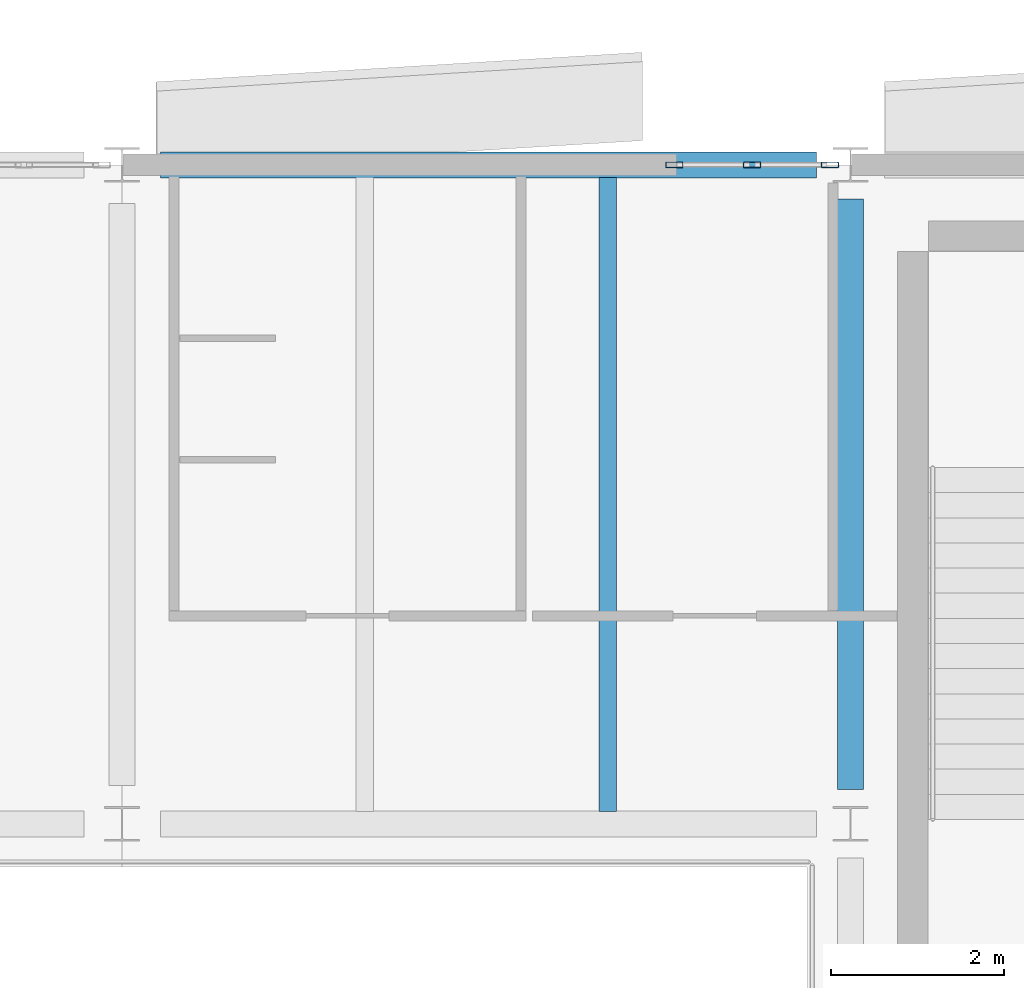
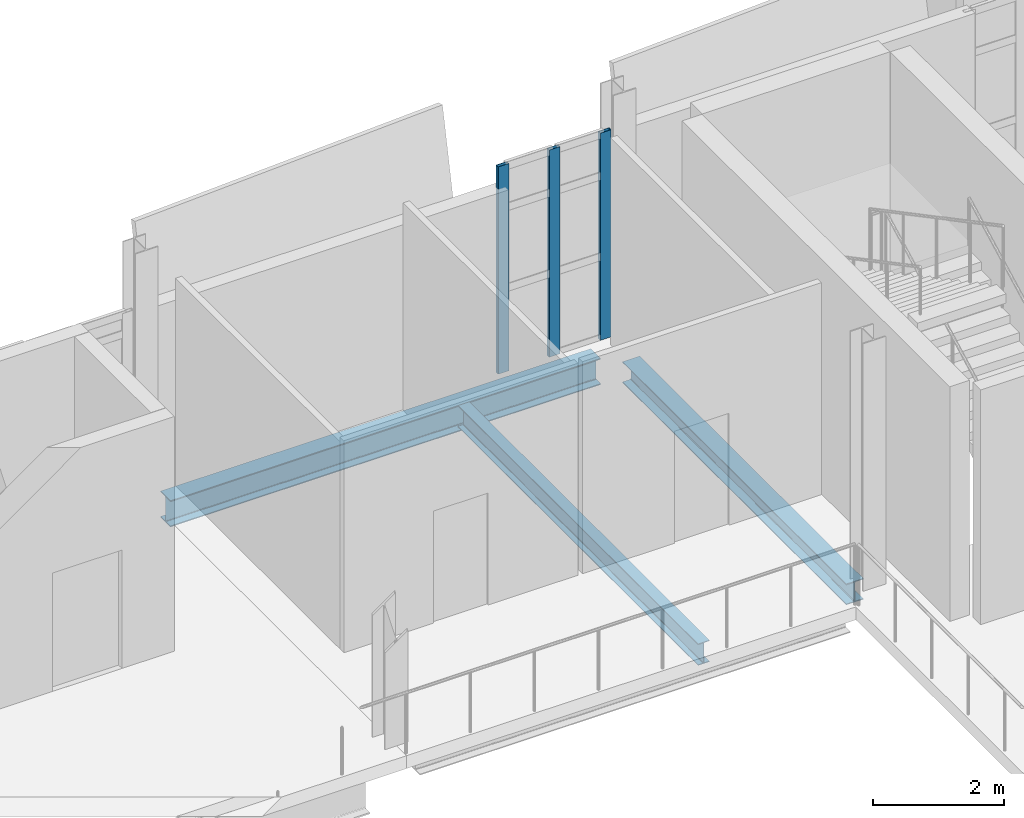
# One storey, part 69 of 172: 3 beams, 3 members, 1 element without a shape of its own.
"""IFC4 building model written with IfcOpenShell, lengths in metres."""

from ifc_helpers import new_model, si_unit, direction, frame, origin, origin_2d, place, context, subcontext, project, spatial, hollow_rectangle, i_section, extrude, material, material_profile, profile_set, type_object, element, aggregate, save


model = new_model("IFC4")

# Units and contexts
model_context = context("Model", 3, precision=1e-05, world=origin(), true_north=direction((0.0, 1.0)))
body_context = subcontext(model_context, "Body", "Model", "MODEL_VIEW")
ifc_project = project(units=[si_unit("LENGTHUNIT", "METRE"), si_unit("AREAUNIT", "SQUARE_METRE"), si_unit("VOLUMEUNIT", "CUBIC_METRE"), si_unit("PLANEANGLEUNIT", "RADIAN"), si_unit("MASSUNIT", "GRAM", prefix="KILO")], contexts=[model_context])

# Site, building, storey
site_placement = place(None, origin())
site = spatial("IfcSite", under=ifc_project, at=site_placement, CompositionType="ELEMENT")
building_placement = place(site_placement, origin())
building = spatial("IfcBuilding", under=site, at=building_placement, Name="Shengluoqiao Park Theatre", CompositionType="ELEMENT")
storey_placement = place(building_placement, frame((0.0, 0.0, 5.39990234375)))
storey = spatial("IfcBuildingStorey", under=building, at=storey_placement, Name="L01", CompositionType="ELEMENT", Elevation=5.39990234375)

# Curtain wall, members
ifc_material_1 = material(Name="Aluminium 6063-T6", Category="aluminium")
curtain_wall_type = type_object("IfcCurtainWallType", Name="ENV-CW-FOYER", PredefinedType="NOTDEFINED", material=ifc_material_1)
curtain_wall_placement = place(storey_placement, origin())
curtain_wall = element("IfcCurtainWall", 1, at=curtain_wall_placement, inside=storey, type_object=curtain_wall_type, Name="L01 Curtain Wall CW-L01-0049", PredefinedType="NOTDEFINED")
ifc_material_profile_1 = material_profile(ifc_material_1, hollow_rectangle(XDim=0.06494140625, YDim=0.199951171875, WallThickness=0.0048828125, InnerFilletRadius=0.0048828125, OuterFilletRadius=0.010009765625, at=origin_2d()), Name="ALU MULLION 200x65x5")
ifc_profile_set_1 = profile_set([ifc_material_profile_1], Name="Aluminium 6063-T6")
member_type = type_object("IfcMemberType", Name="ENV-MUL-200", PredefinedType="MULLION", material=ifc_profile_set_1)
member_1_placement = place(storey_placement, frame((33.968505859375, 76.0, 0.0), z_axis=(0.0, 0.0, 1.0), x_axis=(0.0, 1.0, 0.0)))
member_1 = element("IfcMember", 2, at=member_1_placement, type_object=member_type, Name="CW-01 mullion 1", PredefinedType="MULLION", context=body_context, shape_type="SweptSolid", body=[
    extrude(hollow_rectangle(XDim=0.06494140625, YDim=0.199951171875, WallThickness=0.0048828125, InnerFilletRadius=0.0048828125, OuterFilletRadius=0.010009765625, at=origin_2d()), origin(), (0.0, 0.0, 1.0), 3.85009765625),
])
member_2_placement = place(storey_placement, frame((34.865966796875, 76.0, 0.0), z_axis=(0.0, 0.0, 1.0), x_axis=(0.0, 1.0, 0.0)))
member_2 = element("IfcMember", 3, at=member_2_placement, type_object=member_type, Name="CW-01 mullion 2", PredefinedType="MULLION", context=body_context, shape_type="SweptSolid", body=[
    extrude(hollow_rectangle(XDim=0.06494140625, YDim=0.199951171875, WallThickness=0.0048828125, InnerFilletRadius=0.0048828125, OuterFilletRadius=0.010009765625, at=origin_2d()), origin(), (0.0, 0.0, 1.0), 3.85009765625),
])
member_3_placement = place(storey_placement, frame((35.763427734375, 76.0, 0.0), z_axis=(0.0, 0.0, 1.0), x_axis=(0.0, 1.0, 0.0)))
member_3 = element("IfcMember", 4, at=member_3_placement, type_object=member_type, Name="CW-01 mullion 3", PredefinedType="MULLION", context=body_context, shape_type="SweptSolid", body=[
    extrude(hollow_rectangle(XDim=0.06494140625, YDim=0.199951171875, WallThickness=0.0048828125, InnerFilletRadius=0.0048828125, OuterFilletRadius=0.010009765625, at=origin_2d()), origin(), (0.0, 0.0, 1.0), 3.85009765625),
])
aggregate(curtain_wall, [member_1, member_2, member_3])

# Beams
ifc_material_2 = material(Name="Steel Q355", Category="steel")
ifc_material_profile_2 = material_profile(ifc_material_2, i_section(OverallWidth=0.300048828125, OverallDepth=0.389892578125, WebThickness=0.010009765625, FlangeThickness=0.01611328125, FilletRadius=0.01806640625, at=origin_2d()), Name="HM 390x300x10x16")
ifc_profile_set_2 = profile_set([ifc_material_profile_2], Name="Steel Q355")
beam_type_1 = type_object("IfcBeamType", Name="STR-BM-G-HM390", PredefinedType="BEAM", material=ifc_profile_set_2)
beam_1_placement = place(storey_placement, frame((36.0, 68.7939453125, -0.434814453125), z_axis=(0.0, 1.0, 0.0), x_axis=(-1.0, 0.0, 0.0)))
element("IfcBeam", 5, at=beam_1_placement, inside=storey, type_object=beam_type_1, Name="L01 Transverse Girder 00490", PredefinedType="BEAM", context=body_context, shape_type="SweptSolid", body=[
    extrude(i_section(OverallWidth=0.300048828125, OverallDepth=0.389892578125, WebThickness=0.010009765625, FlangeThickness=0.01611328125, FilletRadius=0.01806640625, at=origin_2d()), origin(), (0.0, 0.0, 1.0), 6.81201171875),
])
ifc_material_profile_3 = material_profile(ifc_material_2, i_section(OverallWidth=0.300048828125, OverallDepth=0.488037109375, WebThickness=0.010986328125, FlangeThickness=0.01806640625, FilletRadius=0.02197265625, at=origin_2d()), Name="HM 488x300x11x18")
ifc_profile_set_3 = profile_set([ifc_material_profile_3], Name="Steel Q355")
beam_type_2 = type_object("IfcBeamType", Name="STR-BM-G-HM488", PredefinedType="BEAM", material=ifc_profile_set_3)
beam_2_placement = place(storey_placement, frame((28.0439453125, 76.0, -0.48388671875), z_axis=(1.0, 0.0, 0.0), x_axis=(0.0, 1.0, 0.0)))
element("IfcBeam", 6, at=beam_2_placement, inside=storey, type_object=beam_type_2, Name="L01 Primary Girder 00487", PredefinedType="BEAM", context=body_context, shape_type="SweptSolid", body=[
    extrude(i_section(OverallWidth=0.300048828125, OverallDepth=0.488037109375, WebThickness=0.010986328125, FlangeThickness=0.01806640625, FilletRadius=0.02197265625, at=origin_2d()), origin(), (0.0, 0.0, 1.0), 7.56201171875),
])
ifc_material_profile_4 = material_profile(ifc_material_2, i_section(OverallWidth=0.199951171875, OverallDepth=0.39990234375, WebThickness=0.008056640625, FlangeThickness=0.012939453125, FilletRadius=0.01611328125, at=origin_2d()), Name="HN 400x200x8x13")
ifc_profile_set_4 = profile_set([ifc_material_profile_4], Name="Steel Q355")
beam_type_3 = type_object("IfcBeamType", Name="STR-BM-J-HN400", PredefinedType="JOIST", material=ifc_profile_set_4)
beam_3_placement = place(storey_placement, frame((33.199951171875, 68.544921875, -0.43994140625), z_axis=(0.0, 1.0, 0.0), x_axis=(-1.0, 0.0, 0.0)))
element("IfcBeam", 7, at=beam_3_placement, inside=storey, type_object=beam_type_3, Name="L01 Composite Joist 00495", PredefinedType="JOIST", context=body_context, shape_type="SweptSolid", body=[
    extrude(i_section(OverallWidth=0.199951171875, OverallDepth=0.39990234375, WebThickness=0.008056640625, FlangeThickness=0.012939453125, FilletRadius=0.01611328125, at=origin_2d()), origin(), (0.0, 0.0, 1.0), 7.31005859375),
])

save(model, "model.ifc")
